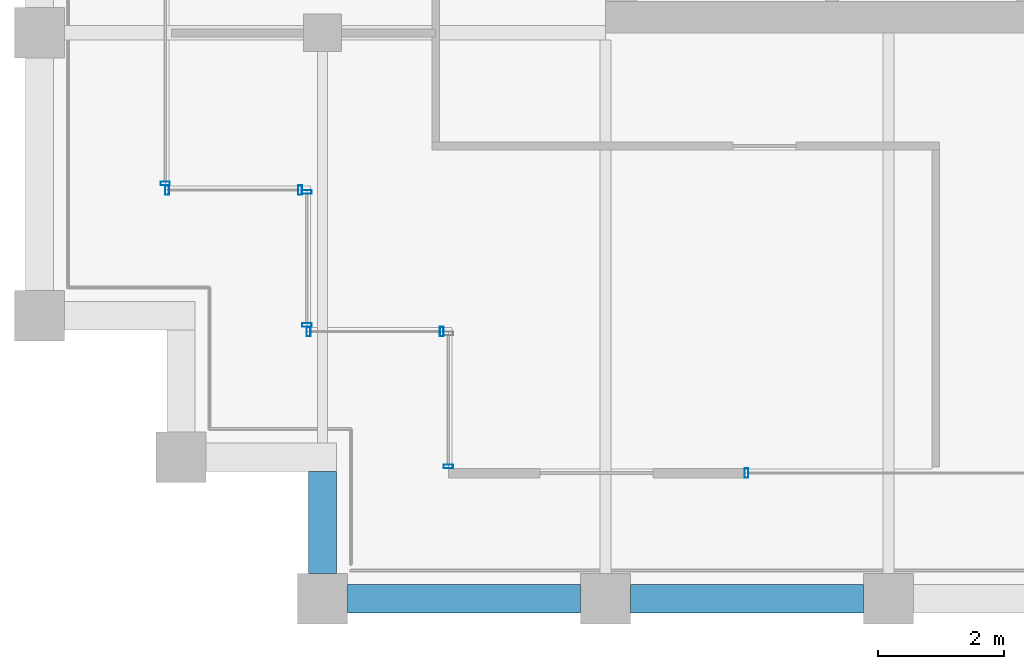
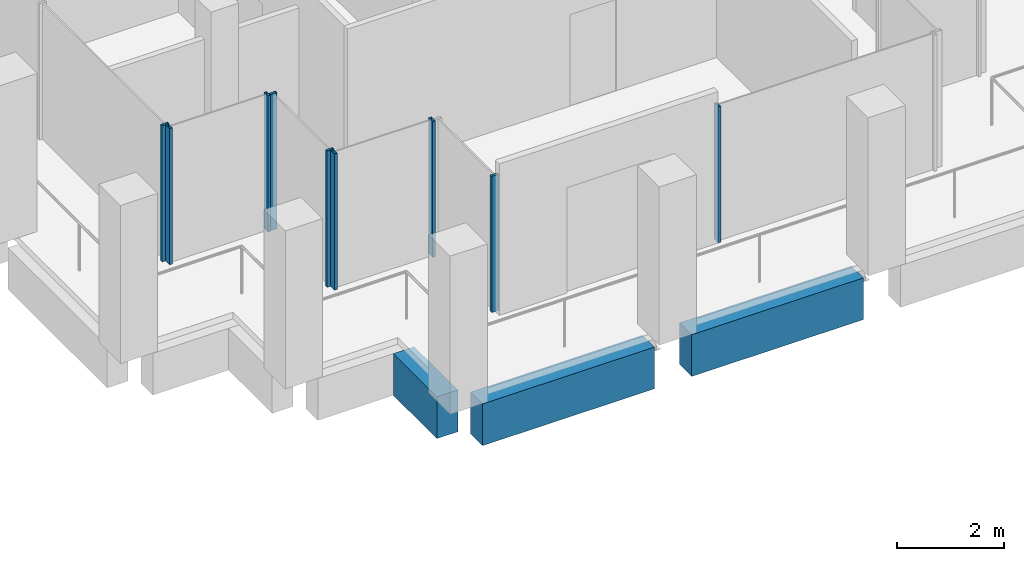
# One storey, part 28 of 40: 9 members, 3 beams, 6 elements without a shape of their own.
"""IFC4 building model written with IfcOpenShell, lengths in metres."""

from ifc_helpers import new_model, si_unit, direction, frame, origin, origin_2d, place, context, subcontext, project, spatial, rectangle, hollow_rectangle, extrude, material, material_profile, profile_set, type_object, element, aggregate, save


model = new_model("IFC4")

# Units and contexts
model_context = context("Model", 3, precision=1e-05, world=origin(), true_north=direction((0.0, 1.0)))
body_context = subcontext(model_context, "Body", "Model", "MODEL_VIEW")
ifc_project = project(units=[si_unit("LENGTHUNIT", "METRE"), si_unit("AREAUNIT", "SQUARE_METRE"), si_unit("VOLUMEUNIT", "CUBIC_METRE"), si_unit("PLANEANGLEUNIT", "RADIAN"), si_unit("MASSUNIT", "GRAM", prefix="KILO")], contexts=[model_context])

# Site, building, storey
site_placement = place(None, origin())
site = spatial("IfcSite", under=ifc_project, at=site_placement, CompositionType="ELEMENT")
building_placement = place(site_placement, origin())
building = spatial("IfcBuilding", under=site, at=building_placement, Name="Altepetl Exchange Towers", CompositionType="ELEMENT")
storey_placement = place(building_placement, frame((0.0, 0.0, 199.199951171875)))
storey = spatial("IfcBuildingStorey", under=building, at=storey_placement, Name="L50", CompositionType="ELEMENT", Elevation=199.199951171875)

# Curtain wall, member
ifc_material_1 = material(Name="Aluminium 6063-T6 glazing", Category="aluminium")
curtain_wall_type = type_object("IfcCurtainWallType", Name="Loggia glazing system", PredefinedType="NOTDEFINED", material=ifc_material_1)
curtain_wall_1_placement = place(storey_placement, origin())
curtain_wall_1 = element("IfcCurtainWall", 1, at=curtain_wall_1_placement, inside=storey, type_object=curtain_wall_type, Name="CW1 run", PredefinedType="NOTDEFINED")
ifc_material_2 = material(Name="Aluminium 6063-T6", Category="aluminium")
ifc_material_profile_1 = material_profile(ifc_material_2, hollow_rectangle(XDim=0.06005859375, YDim=0.14990234375, WallThickness=0.0029296875, at=origin_2d()), Name="Mullion 60x150 aluminium")
ifc_profile_set_1 = profile_set([ifc_material_profile_1], Name="Aluminium 6063-T6")
member_type = type_object("IfcMemberType", Name="Mullion 60x150 aluminium", PredefinedType="MULLION", material=ifc_profile_set_1)
member_1_placement = place(storey_placement, frame((101.0, 29.10498046875, 0.0), z_axis=(0.0, 0.0, 1.0), x_axis=(0.0, -1.0, 0.0)))
member_1 = element("IfcMember", 2, at=member_1_placement, type_object=member_type, Name="MU1 mullion", PredefinedType="MULLION", context=body_context, shape_type="SweptSolid", body=[
    extrude(hollow_rectangle(XDim=0.06005859375, YDim=0.14990234375, WallThickness=0.0029296875, at=origin_2d()), origin(), (0.0, 0.0, 1.0), 3.10009765625),
])
aggregate(curtain_wall_1, [member_1])

curtain_wall_2_placement = place(storey_placement, origin())
curtain_wall_2 = element("IfcCurtainWall", 3, at=curtain_wall_2_placement, inside=storey, type_object=curtain_wall_type, Name="CW1 run", PredefinedType="NOTDEFINED")
member_2_placement = place(storey_placement, frame((105.742431640625, 29.0, 0.0)))
member_2 = element("IfcMember", 4, at=member_2_placement, type_object=member_type, Name="MU1 mullion", PredefinedType="MULLION", context=body_context, shape_type="SweptSolid", body=[
    extrude(hollow_rectangle(XDim=0.06005859375, YDim=0.14990234375, WallThickness=0.0029296875, at=origin_2d()), origin(), (0.0, 0.0, 1.0), 3.10009765625),
])
aggregate(curtain_wall_2, [member_2])

curtain_wall_3_placement = place(storey_placement, origin())
curtain_wall_3 = element("IfcCurtainWall", 5, at=curtain_wall_3_placement, inside=storey, type_object=curtain_wall_type, Name="CW1 run", PredefinedType="NOTDEFINED")
member_3_placement = place(storey_placement, frame((96.5, 33.60498046875, 0.0), z_axis=(0.0, 0.0, 1.0), x_axis=(0.0, -1.0, 0.0)))
member_3 = element("IfcMember", 6, at=member_3_placement, type_object=member_type, Name="MU1 mullion", PredefinedType="MULLION", context=body_context, shape_type="SweptSolid", body=[
    extrude(hollow_rectangle(XDim=0.06005859375, YDim=0.14990234375, WallThickness=0.0029296875, at=origin_2d()), origin(), (0.0, 0.0, 1.0), 3.10009765625),
])
aggregate(curtain_wall_3, [member_3])

# Curtain wall, members
curtain_wall_4_placement = place(storey_placement, origin())
curtain_wall_4 = element("IfcCurtainWall", 7, at=curtain_wall_4_placement, inside=storey, type_object=curtain_wall_type, Name="CW1 run", PredefinedType="NOTDEFINED")
member_4_placement = place(storey_placement, frame((96.530029296875, 33.5, 0.0)))
member_4 = element("IfcMember", 8, at=member_4_placement, type_object=member_type, Name="MU1 mullion", PredefinedType="MULLION", context=body_context, shape_type="SweptSolid", body=[
    extrude(hollow_rectangle(XDim=0.06005859375, YDim=0.14990234375, WallThickness=0.0029296875, at=origin_2d()), origin(), (0.0, 0.0, 1.0), 3.10009765625),
])
member_5_placement = place(storey_placement, frame((98.64501953125, 33.5, 0.0)))
member_5 = element("IfcMember", 9, at=member_5_placement, type_object=member_type, Name="MU1 mullion", PredefinedType="MULLION", context=body_context, shape_type="SweptSolid", body=[
    extrude(hollow_rectangle(XDim=0.06005859375, YDim=0.14990234375, WallThickness=0.0029296875, at=origin_2d()), origin(), (0.0, 0.0, 1.0), 3.10009765625),
])
aggregate(curtain_wall_4, [member_4, member_5])

curtain_wall_5_placement = place(storey_placement, origin())
curtain_wall_5 = element("IfcCurtainWall", 10, at=curtain_wall_5_placement, inside=storey, type_object=curtain_wall_type, Name="CW1 run", PredefinedType="NOTDEFINED")
member_6_placement = place(storey_placement, frame((98.75, 33.469970703125, 0.0), z_axis=(0.0, 0.0, 1.0), x_axis=(0.0, -1.0, 0.0)))
member_6 = element("IfcMember", 11, at=member_6_placement, type_object=member_type, Name="MU1 mullion", PredefinedType="MULLION", context=body_context, shape_type="SweptSolid", body=[
    extrude(hollow_rectangle(XDim=0.06005859375, YDim=0.14990234375, WallThickness=0.0029296875, at=origin_2d()), origin(), (0.0, 0.0, 1.0), 3.10009765625),
])
member_7_placement = place(storey_placement, frame((98.75, 31.35498046875, 0.0), z_axis=(0.0, 0.0, 1.0), x_axis=(0.0, -1.0, 0.0)))
member_7 = element("IfcMember", 12, at=member_7_placement, type_object=member_type, Name="MU1 mullion", PredefinedType="MULLION", context=body_context, shape_type="SweptSolid", body=[
    extrude(hollow_rectangle(XDim=0.06005859375, YDim=0.14990234375, WallThickness=0.0029296875, at=origin_2d()), origin(), (0.0, 0.0, 1.0), 3.10009765625),
])
aggregate(curtain_wall_5, [member_6, member_7])

curtain_wall_6_placement = place(storey_placement, origin())
curtain_wall_6 = element("IfcCurtainWall", 13, at=curtain_wall_6_placement, inside=storey, type_object=curtain_wall_type, Name="CW1 run", PredefinedType="NOTDEFINED")
member_8_placement = place(storey_placement, frame((98.780029296875, 31.25, 0.0)))
member_8 = element("IfcMember", 14, at=member_8_placement, type_object=member_type, Name="MU1 mullion", PredefinedType="MULLION", context=body_context, shape_type="SweptSolid", body=[
    extrude(hollow_rectangle(XDim=0.06005859375, YDim=0.14990234375, WallThickness=0.0029296875, at=origin_2d()), origin(), (0.0, 0.0, 1.0), 3.10009765625),
])
member_9_placement = place(storey_placement, frame((100.89501953125, 31.25, 0.0)))
member_9 = element("IfcMember", 15, at=member_9_placement, type_object=member_type, Name="MU1 mullion", PredefinedType="MULLION", context=body_context, shape_type="SweptSolid", body=[
    extrude(hollow_rectangle(XDim=0.06005859375, YDim=0.14990234375, WallThickness=0.0029296875, at=origin_2d()), origin(), (0.0, 0.0, 1.0), 3.10009765625),
])
aggregate(curtain_wall_6, [member_8, member_9])

# Beams
ifc_material_3 = material(Name="Concrete C50/60 precast with tezontle facing", Category="concrete")
ifc_material_profile_2 = material_profile(ifc_material_3, rectangle(XDim=0.449951171875, YDim=0.949951171875, at=origin_2d()), Name="450 x 950")
ifc_profile_set_2 = profile_set([ifc_material_profile_2], Name="Concrete C50/60 precast with tezontle facing")
beam_type = type_object("IfcBeamType", Name="Spandrel beam 450x950 tezontle", PredefinedType="SPANDREL", material=ifc_profile_set_2)
for number, where, z_axis, x_axis, name in (
    (16, (99.39990234375, 27.0, -0.625), (1.0, 0.0, 0.0), (0.0, 1.0, 0.0), "sp:B:L50:000"),
    (17, (103.89990234375, 27.0, -0.625), (1.0, 0.0, 0.0), (0.0, 1.0, 0.0), "sp:B:L50:001"),
):
    element("IfcBeam", number, at=place(storey_placement, frame(where, z_axis=z_axis, x_axis=x_axis)), inside=storey, type_object=beam_type, Name=name, PredefinedType="SPANDREL", context=body_context, shape_type="SweptSolid", body=[
        extrude(rectangle(XDim=0.449951171875, YDim=0.949951171875, at=origin_2d()), origin(), (0.0, 0.0, 1.0), 3.7001953125),
    ])
beam_placement = place(storey_placement, frame((99.0, 29.02490234375, -0.625), z_axis=(0.0, -1.0, 0.0), x_axis=(1.0, 0.0, 0.0)))
element("IfcBeam", 18, at=beam_placement, inside=storey, type_object=beam_type, Name="sp:B:L50:023", PredefinedType="SPANDREL", context=body_context, shape_type="SweptSolid", body=[
    extrude(rectangle(XDim=0.449951171875, YDim=0.949951171875, at=origin_2d()), origin(), (0.0, 0.0, 1.0), 1.625),
])

save(model, "model.ifc")
